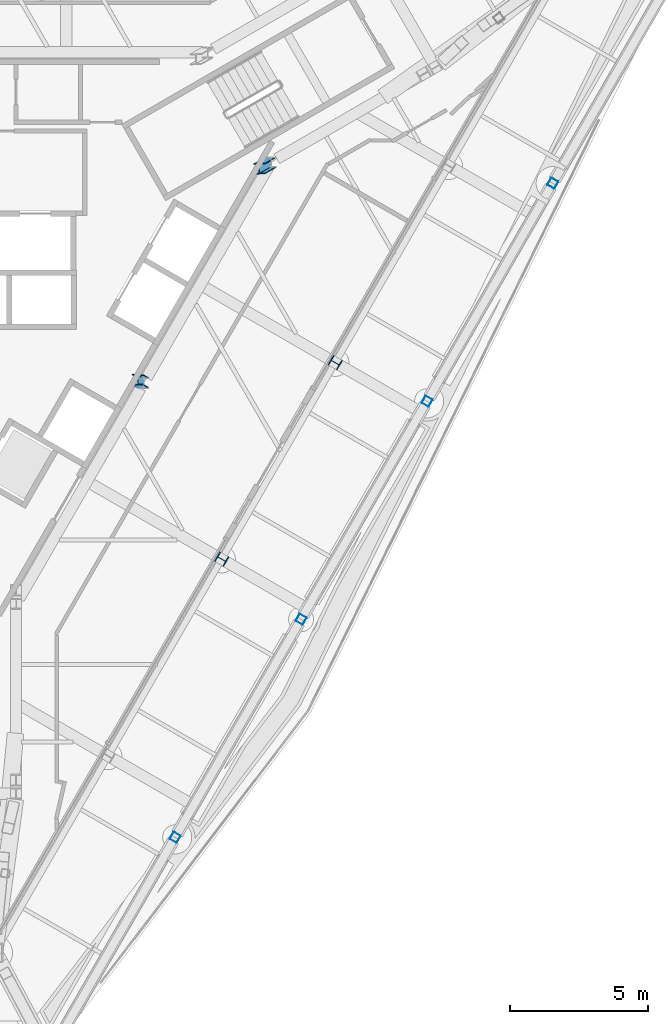
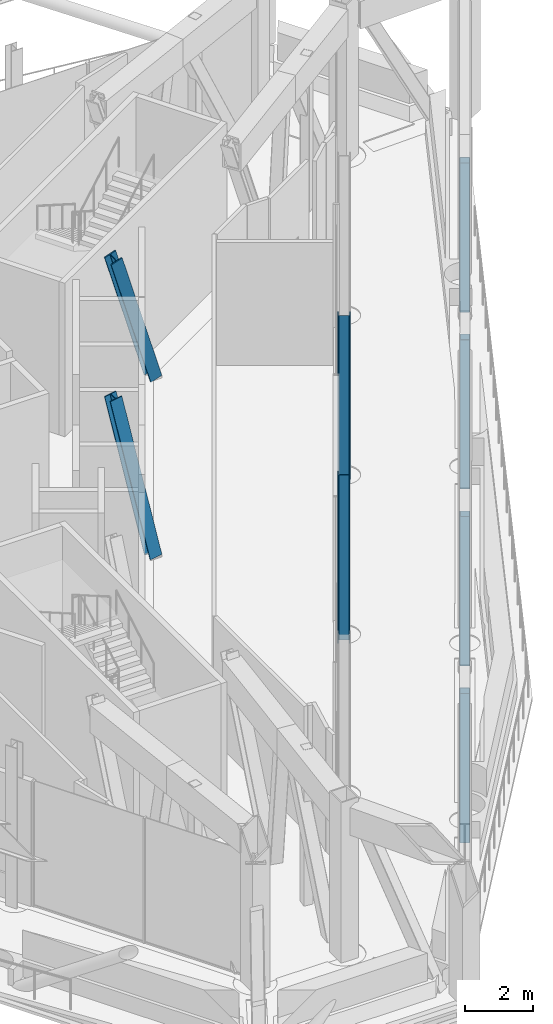
# One storey, part 2 of 25: 8 columns.
"""IFC4 building model written with IfcOpenShell, lengths in metres."""

from ifc_helpers import new_model, si_unit, direction, frame, origin, origin_2d, place, context, subcontext, project, spatial, hollow_rectangle, i_section, extrude, material, material_profile, profile_set, type_object, element, save


model = new_model("IFC4")

# Units and contexts
model_context = context("Model", 3, precision=1e-05, world=origin(), true_north=direction((0.0, 1.0)))
body_context = subcontext(model_context, "Body", "Model", "MODEL_VIEW")
ifc_project = project(units=[si_unit("LENGTHUNIT", "METRE"), si_unit("AREAUNIT", "SQUARE_METRE"), si_unit("VOLUMEUNIT", "CUBIC_METRE"), si_unit("PLANEANGLEUNIT", "RADIAN"), si_unit("MASSUNIT", "GRAM", prefix="KILO")], contexts=[model_context])

# Site, building, storey
site_placement = place(None, origin())
site = spatial("IfcSite", under=ifc_project, at=site_placement, CompositionType="ELEMENT")
building_placement = place(site_placement, origin())
building = spatial("IfcBuilding", under=site, at=building_placement, Name="Verrane Prism Tower", CompositionType="ELEMENT")
storey_placement = place(building_placement, frame((0.0, 0.0, 258.199951171875)))
storey = spatial("IfcBuildingStorey", under=building, at=storey_placement, Name="L65", CompositionType="ELEMENT", Elevation=258.199951171875)

# Columns
ifc_material_1 = material(Name="Steel A500 Grade C", Category="steel")
ifc_material_profile_1 = material_profile(ifc_material_1, hollow_rectangle(XDim=0.3046875, YDim=0.3046875, WallThickness=0.0126953125, InnerFilletRadius=0.00634765625, OuterFilletRadius=0.01904296875, at=origin_2d()), Name="HSS12x12x1/2")
ifc_profile_set_1 = profile_set([ifc_material_profile_1], Name="Steel A500 Grade C")
column_type_1 = type_object("IfcColumnType", Name="Belt truss post HSS12x12x1/2", PredefinedType="COLUMN", material=ifc_profile_set_1)
for number, where, z_axis, x_axis, name in (
    (1, (8.070068359375, -20.47998046875, -0.68994140625), (0.0, 0.0, 1.0), (-0.5, -0.866025403784, 0.0), "Belt truss post L65"),
    (2, (12.639892578125, -12.570068359375, -0.68994140625), (0.0, 0.0, 1.0), (-0.5, -0.866025403784, 0.0), "Belt truss post L65"),
    (3, (17.2099609375, -4.659912109375, -0.68994140625), (0.0, 0.0, 1.0), (-0.5, -0.866025403784, 0.0), "Belt truss post L65"),
    (4, (21.77001953125, 3.25, -0.68994140625), (0.0, 0.0, 1.0), (-0.5, -0.866025403784, 0.0), "Belt truss post L65"),
):
    element("IfcColumn", number, at=place(storey_placement, frame(where, z_axis=z_axis, x_axis=x_axis)), inside=storey, type_object=column_type_1, Name=name, PredefinedType="COLUMN", context=body_context, shape_type="SweptSolid", body=[
        extrude(hollow_rectangle(XDim=0.3046875, YDim=0.3046875, WallThickness=0.0126953125, InnerFilletRadius=0.00634765625, OuterFilletRadius=0.01904296875, at=origin_2d()), origin(), (0.0, 0.0, 1.0), 5.39990234375),
    ])
ifc_material_2 = material(Name="Steel A992", Category="steel")
ifc_material_profile_2 = material_profile(ifc_material_2, i_section(OverallWidth=0.398681640625, OverallDepth=0.385986328125, WebThickness=0.02099609375, FlangeThickness=0.033203125, FilletRadius=0.01513671875, at=origin_2d()), Name="W14x176")
ifc_profile_set_2 = profile_set([ifc_material_profile_2], Name="Steel A992")
column_type_2 = type_object("IfcColumnType", Name="Core side column W14x176", PredefinedType="COLUMN", material=ifc_profile_set_2)
column_1_placement = place(storey_placement, frame((11.53662109375, 4.006591796875, 0.06494140625), z_axis=(-0.331310883947, -0.191156195649, 0.923954764609), x_axis=(0.941310345781, 3.9186308e-05, 0.337542340145)))
element("IfcColumn", 5, at=column_1_placement, inside=storey, type_object=column_type_2, Name="Core side column CC-NEm L65", PredefinedType="COLUMN", context=body_context, shape_type="SweptSolid", body=[
    extrude(i_section(OverallWidth=0.398681640625, OverallDepth=0.385986328125, WebThickness=0.02099609375, FlangeThickness=0.033203125, FilletRadius=0.01513671875, at=origin_2d()), origin(), (0.0, 0.0, 1.0), 6.136962890625),
])
column_2_placement = place(storey_placement, frame((6.9228515625, -3.995849609375, 0.0400390625), z_axis=(-0.175584774284, 0.101313376069, 0.979237247489), x_axis=(0.984300834882, -5.9817855e-05, 0.176498903317)))
element("IfcColumn", 6, at=column_2_placement, inside=storey, type_object=column_type_2, Name="Core side column CC-SE0 L65", PredefinedType="COLUMN", context=body_context, shape_type="SweptSolid", body=[
    extrude(i_section(OverallWidth=0.398681640625, OverallDepth=0.385986328125, WebThickness=0.02099609375, FlangeThickness=0.033203125, FilletRadius=0.01513671875, at=origin_2d()), origin(), (0.0, 0.0, 1.0), 5.84130859375),
])
ifc_material_3 = material(Name="Steel A992", Category="steel")
ifc_material_profile_3 = material_profile(ifc_material_3, i_section(OverallWidth=0.393798828125, OverallDepth=0.3759765625, WebThickness=0.017333984375, FlangeThickness=0.027587890625, FilletRadius=0.01513671875, at=origin_2d()), Name="W14x145")
ifc_profile_set_3 = profile_set([ifc_material_profile_3], Name="Steel A992")
column_type_3 = type_object("IfcColumnType", Name="Perimeter column W14x145", PredefinedType="COLUMN", material=ifc_profile_set_3)
for number, where, z_axis, x_axis, name in (
    (7, (9.760009765625, -10.389892578125, -0.159912109375), (0.0, 0.0, 1.0), (-0.5, -0.866025403784, 0.0), "Perimeter column PC-SE2 L65"),
    (8, (13.8798828125, -3.260009765625, -0.159912109375), (0.0, 0.0, 1.0), (-0.5, -0.866025403784, 0.0), "Perimeter column PC-SE3 L65"),
):
    element("IfcColumn", number, at=place(storey_placement, frame(where, z_axis=z_axis, x_axis=x_axis)), inside=storey, type_object=column_type_3, Name=name, PredefinedType="COLUMN", context=body_context, shape_type="SweptSolid", body=[
        extrude(i_section(OverallWidth=0.393798828125, OverallDepth=0.3759765625, WebThickness=0.017333984375, FlangeThickness=0.027587890625, FilletRadius=0.01513671875, at=origin_2d()), origin(), (0.0, 0.0, 1.0), 5.9599609375),
    ])

save(model, "model.ifc")
